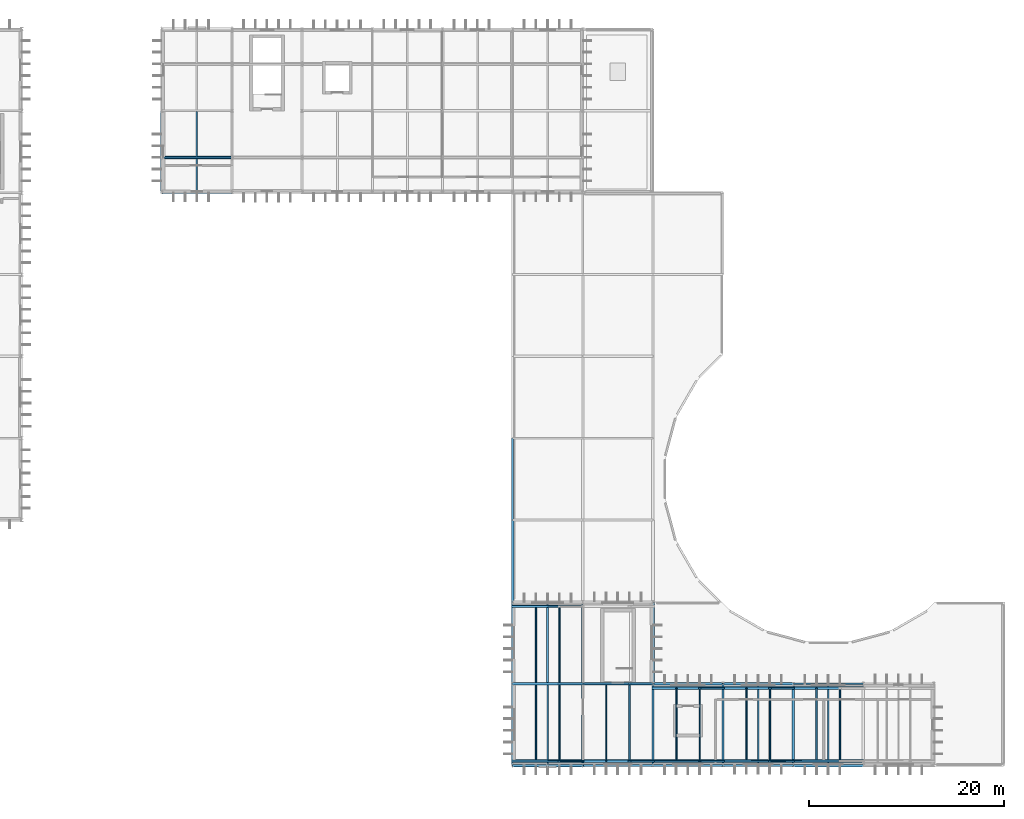
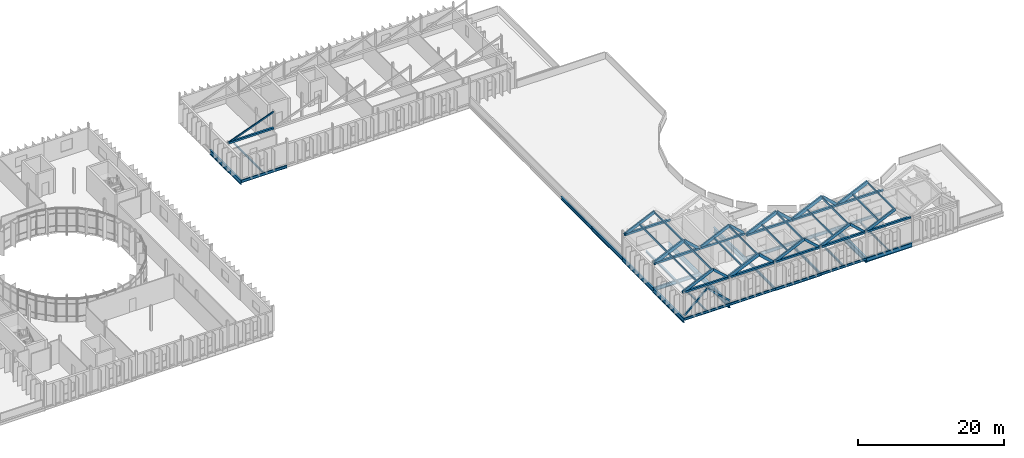
# One storey, part 18 of 52: 44 members, 26 beams.
"""IFC4 building model written with IfcOpenShell, lengths in metres."""

from ifc_helpers import new_model, si_unit, direction, frame, origin, origin_2d, place, context, subcontext, project, spatial, rectangle, hollow_rectangle, i_section, extrude, material, material_profile, profile_set, type_object, element, save


model = new_model("IFC4")

# Units and contexts
model_context = context("Model", 3, precision=1e-05, world=origin(), true_north=direction((0.0, 1.0)))
body_context = subcontext(model_context, "Body", "Model", "MODEL_VIEW")
ifc_project = project(units=[si_unit("LENGTHUNIT", "METRE"), si_unit("AREAUNIT", "SQUARE_METRE"), si_unit("VOLUMEUNIT", "CUBIC_METRE"), si_unit("PLANEANGLEUNIT", "RADIAN"), si_unit("MASSUNIT", "GRAM", prefix="KILO")], contexts=[model_context])

# Site, building, storey
site_placement = place(None, origin())
site = spatial("IfcSite", under=ifc_project, at=site_placement, CompositionType="ELEMENT")
building_placement = place(site_placement, origin())
building = spatial("IfcBuilding", under=site, at=building_placement, Name="Qelthora Terrace Specialist Clinic", CompositionType="ELEMENT")
storey_placement = place(building_placement, frame((0.0, 0.0, 17.39990234375)))
storey = spatial("IfcBuildingStorey", under=building, at=storey_placement, Name="L04", CompositionType="ELEMENT", Elevation=17.39990234375)

# Beams
ifc_material_1 = material(Name="Steel S355", Category="steel")
ifc_material_profile_1 = material_profile(ifc_material_1, i_section(OverallWidth=0.178955078125, OverallDepth=0.409912109375, WebThickness=0.0087890625, FlangeThickness=0.014404296875, FilletRadius=0.011962890625, at=origin_2d()), Name="W410X67")
ifc_profile_set_1 = profile_set([ifc_material_profile_1], Name="Steel S355")
beam_type_1 = type_object("IfcBeamType", Name="BM-W410X67", PredefinedType="BEAM", material=ifc_profile_set_1)
for number, where, z_axis, x_axis, name in (
    (1, (100.800048828125, 33.60009765625, -0.454833984375), (1.0, 0.0, 0.0), (0.0, 1.0, 0.0), "Girder BMX-L04-1132"),
    (2, (115.199951171875, 33.60009765625, -0.454833984375), (1.0, 0.0, 0.0), (0.0, 1.0, 0.0), "Girder BMX-L04-1134"),
):
    element("IfcBeam", number, at=place(storey_placement, frame(where, z_axis=z_axis, x_axis=x_axis)), inside=storey, type_object=beam_type_1, Name=name, PredefinedType="BEAM", context=body_context, shape_type="SweptSolid", body=[
        extrude(i_section(OverallWidth=0.178955078125, OverallDepth=0.409912109375, WebThickness=0.0087890625, FlangeThickness=0.014404296875, FilletRadius=0.011962890625, at=origin_2d()), origin(), (0.0, 0.0, 1.0), 7.199951171875),
    ])
beam_1_placement = place(storey_placement, frame((108.0, 33.60009765625, -0.454833984375), z_axis=(0.0, 1.0, 0.0), x_axis=(-1.0, 0.0, 0.0)))
element("IfcBeam", 3, at=beam_1_placement, inside=storey, type_object=beam_type_1, Name="Girder BMY-L04-1270", PredefinedType="BEAM", context=body_context, shape_type="SweptSolid", body=[
    extrude(i_section(OverallWidth=0.178955078125, OverallDepth=0.409912109375, WebThickness=0.0087890625, FlangeThickness=0.014404296875, FilletRadius=0.011962890625, at=origin_2d()), origin(), (0.0, 0.0, 1.0), 8.39990234375),
])
ifc_material_profile_2 = material_profile(ifc_material_1, i_section(OverallWidth=0.179931640625, OverallDepth=0.4130859375, WebThickness=0.009765625, FlangeThickness=0.01611328125, FilletRadius=0.011962890625, at=origin_2d()), Name="W410X75")
ifc_profile_set_2 = profile_set([ifc_material_profile_2], Name="Steel S355")
beam_type_2 = type_object("IfcBeamType", Name="BM-W410X75", PredefinedType="BEAM", material=ifc_profile_set_2)
beam_2_placement = place(storey_placement, frame((93.60009765625, 33.60009765625, -0.456298828125), z_axis=(1.0, 0.0, 0.0), x_axis=(0.0, 1.0, 0.0)))
element("IfcBeam", 4, at=beam_2_placement, inside=storey, type_object=beam_type_2, Name="Girder BMX-L04-1131", PredefinedType="BEAM", context=body_context, shape_type="SweptSolid", body=[
    extrude(i_section(OverallWidth=0.179931640625, OverallDepth=0.4130859375, WebThickness=0.009765625, FlangeThickness=0.01611328125, FilletRadius=0.011962890625, at=origin_2d()), origin(), (0.0, 0.0, 1.0), 7.199951171875),
])
beam_3_placement = place(storey_placement, frame((115.199951171875, 33.60009765625, -0.456298828125), z_axis=(0.0, 1.0, 0.0), x_axis=(-1.0, 0.0, 0.0)))
element("IfcBeam", 5, at=beam_3_placement, inside=storey, type_object=beam_type_2, Name="Girder BMY-L04-1279", PredefinedType="BEAM", context=body_context, shape_type="SweptSolid", body=[
    extrude(i_section(OverallWidth=0.179931640625, OverallDepth=0.4130859375, WebThickness=0.009765625, FlangeThickness=0.01611328125, FilletRadius=0.011962890625, at=origin_2d()), origin(), (0.0, 0.0, 1.0), 8.39990234375),
])
ifc_material_profile_3 = material_profile(ifc_material_1, i_section(OverallWidth=0.19091796875, OverallDepth=0.4599609375, WebThickness=0.010009765625, FlangeThickness=0.01611328125, FilletRadius=0.012939453125, at=origin_2d()), Name="W460X82")
ifc_profile_set_3 = profile_set([ifc_material_profile_3], Name="Steel S355")
beam_type_3 = type_object("IfcBeamType", Name="BM-W460X82", PredefinedType="BEAM", material=ifc_profile_set_3)
for number, where, z_axis, x_axis, name in (
    (6, (108.0, 33.60009765625, -0.47998046875), (1.0, 0.0, 0.0), (0.0, 1.0, 0.0), "Girder BMX-L04-1133"),
    (7, (57.60009765625, 92.39990234375, -0.47998046875), (1.0, 0.0, 0.0), (0.0, 1.0, 0.0), "Girder BMX-L04-1175"),
):
    element("IfcBeam", number, at=place(storey_placement, frame(where, z_axis=z_axis, x_axis=x_axis)), inside=storey, type_object=beam_type_3, Name=name, PredefinedType="BEAM", context=body_context, shape_type="SweptSolid", body=[
        extrude(i_section(OverallWidth=0.19091796875, OverallDepth=0.4599609375, WebThickness=0.010009765625, FlangeThickness=0.01611328125, FilletRadius=0.012939453125, at=origin_2d()), origin(), (0.0, 0.0, 1.0), 7.199951171875),
    ])
ifc_material_profile_4 = material_profile(ifc_material_1, i_section(OverallWidth=0.193115234375, OverallDepth=0.466064453125, WebThickness=0.011474609375, FlangeThickness=0.01904296875, FilletRadius=0.012939453125, at=origin_2d()), Name="W460X97")
ifc_profile_set_4 = profile_set([ifc_material_profile_4], Name="Steel S355")
beam_type_4 = type_object("IfcBeamType", Name="BM-W460X97", PredefinedType="BEAM", material=ifc_profile_set_4)
beam_4_placement = place(storey_placement, frame((122.39990234375, 42.0, -0.48291015625), z_axis=(1.0, 0.0, 0.0), x_axis=(0.0, 1.0, 0.0)))
element("IfcBeam", 8, at=beam_4_placement, inside=storey, type_object=beam_type_4, Name="Girder BMX-L04-1141", PredefinedType="BEAM", context=body_context, shape_type="SweptSolid", body=[
    extrude(i_section(OverallWidth=0.193115234375, OverallDepth=0.466064453125, WebThickness=0.011474609375, FlangeThickness=0.01904296875, FilletRadius=0.012939453125, at=origin_2d()), origin(), (0.0, 0.0, 1.0), 7.2001953125),
])
ifc_material_profile_5 = material_profile(ifc_material_1, i_section(OverallWidth=0.2099609375, OverallDepth=0.537109375, WebThickness=0.010986328125, FlangeThickness=0.017333984375, FilletRadius=0.013916015625, at=origin_2d()), Name="W530X101")
ifc_profile_set_5 = profile_set([ifc_material_profile_5], Name="Steel S355")
beam_type_5 = type_object("IfcBeamType", Name="BM-W530X101", PredefinedType="BEAM", material=ifc_profile_set_5)
beam_5_placement = place(storey_placement, frame((115.199951171875, 42.0, -0.518310546875), z_axis=(1.0, 0.0, 0.0), x_axis=(0.0, 1.0, 0.0)))
element("IfcBeam", 9, at=beam_5_placement, inside=storey, type_object=beam_type_5, Name="Girder BMX-L04-1140", PredefinedType="BEAM", context=body_context, shape_type="SweptSolid", body=[
    extrude(i_section(OverallWidth=0.2099609375, OverallDepth=0.537109375, WebThickness=0.010986328125, FlangeThickness=0.017333984375, FilletRadius=0.013916015625, at=origin_2d()), origin(), (0.0, 0.0, 1.0), 7.199951171875),
])
ifc_material_profile_6 = material_profile(ifc_material_1, i_section(OverallWidth=0.2119140625, OverallDepth=0.5439453125, WebThickness=0.01318359375, FlangeThickness=0.021240234375, FilletRadius=0.013916015625, at=origin_2d()), Name="W530X123")
ifc_profile_set_6 = profile_set([ifc_material_profile_6], Name="Steel S355")
beam_type_6 = type_object("IfcBeamType", Name="BM-W530X123", PredefinedType="BEAM", material=ifc_profile_set_6)
beam_6_placement = place(storey_placement, frame((108.0, 42.0, -0.52197265625), z_axis=(1.0, 0.0, 0.0), x_axis=(0.0, 1.0, 0.0)))
element("IfcBeam", 10, at=beam_6_placement, inside=storey, type_object=beam_type_6, Name="Girder BMX-L04-1139", PredefinedType="BEAM", context=body_context, shape_type="SweptSolid", body=[
    extrude(i_section(OverallWidth=0.2119140625, OverallDepth=0.5439453125, WebThickness=0.01318359375, FlangeThickness=0.021240234375, FilletRadius=0.013916015625, at=origin_2d()), origin(), (0.0, 0.0, 1.0), 7.199951171875),
])
beam_7_placement = place(storey_placement, frame((93.60009765625, 58.800048828125, -0.52197265625), z_axis=(0.0, 1.0, 0.0), x_axis=(-1.0, 0.0, 0.0)))
element("IfcBeam", 11, at=beam_7_placement, inside=storey, type_object=beam_type_6, Name="Girder BMY-L04-1255", PredefinedType="BEAM", context=body_context, shape_type="SweptSolid", body=[
    extrude(i_section(OverallWidth=0.2119140625, OverallDepth=0.5439453125, WebThickness=0.01318359375, FlangeThickness=0.021240234375, FilletRadius=0.013916015625, at=origin_2d()), origin(), (0.0, 0.0, 1.0), 8.39990234375),
])
ifc_material_profile_7 = material_profile(ifc_material_1, i_section(OverallWidth=0.22900390625, OverallDepth=0.612060546875, WebThickness=0.011962890625, FlangeThickness=0.01953125, FilletRadius=0.01611328125, at=origin_2d()), Name="W610X125")
ifc_profile_set_7 = profile_set([ifc_material_profile_7], Name="Steel S355")
beam_type_7 = type_object("IfcBeamType", Name="BM-W610X125", PredefinedType="BEAM", material=ifc_profile_set_7)
beam_8_placement = place(storey_placement, frame((93.60009765625, 42.0, -0.555908203125), z_axis=(1.0, 0.0, 0.0), x_axis=(0.0, 1.0, 0.0)))
element("IfcBeam", 12, at=beam_8_placement, inside=storey, type_object=beam_type_7, Name="Girder BMX-L04-1138", PredefinedType="BEAM", context=body_context, shape_type="SweptSolid", body=[
    extrude(i_section(OverallWidth=0.22900390625, OverallDepth=0.612060546875, WebThickness=0.011962890625, FlangeThickness=0.01953125, FilletRadius=0.01611328125, at=origin_2d()), origin(), (0.0, 0.0, 1.0), 7.199951171875),
])
ifc_material_profile_8 = material_profile(ifc_material_1, i_section(OverallWidth=0.22998046875, OverallDepth=0.616943359375, WebThickness=0.01318359375, FlangeThickness=0.022216796875, FilletRadius=0.01611328125, at=origin_2d()), Name="W610X140")
ifc_profile_set_8 = profile_set([ifc_material_profile_8], Name="Steel S355")
beam_type_8 = type_object("IfcBeamType", Name="BM-W610X140", PredefinedType="BEAM", material=ifc_profile_set_8)
beam_9_placement = place(storey_placement, frame((93.60009765625, 50.39990234375, -0.558349609375), z_axis=(0.0, 1.0, 0.0), x_axis=(-1.0, 0.0, 0.0)))
element("IfcBeam", 13, at=beam_9_placement, inside=storey, type_object=beam_type_8, Name="Girder BMY-L04-1254", PredefinedType="BEAM", context=body_context, shape_type="SweptSolid", body=[
    extrude(i_section(OverallWidth=0.22998046875, OverallDepth=0.616943359375, WebThickness=0.01318359375, FlangeThickness=0.022216796875, FilletRadius=0.01611328125, at=origin_2d()), origin(), (0.0, 0.0, 1.0), 8.400146484375),
])
ifc_material_profile_9 = material_profile(ifc_material_1, i_section(OverallWidth=0.256103515625, OverallDepth=0.693115234375, WebThickness=0.014404296875, FlangeThickness=0.023681640625, FilletRadius=0.01806640625, at=origin_2d()), Name="W690X170")
ifc_profile_set_9 = profile_set([ifc_material_profile_9], Name="Steel S355")
beam_type_9 = type_object("IfcBeamType", Name="BM-W690X170", PredefinedType="BEAM", material=ifc_profile_set_9)
beam_10_placement = place(storey_placement, frame((122.39990234375, 33.60009765625, -0.596435546875), z_axis=(1.0, 0.0, 0.0), x_axis=(0.0, 1.0, 0.0)))
element("IfcBeam", 14, at=beam_10_placement, inside=storey, type_object=beam_type_9, Name="Girder BMX-L04-1135", PredefinedType="BEAM", context=body_context, shape_type="SweptSolid", body=[
    extrude(i_section(OverallWidth=0.256103515625, OverallDepth=0.693115234375, WebThickness=0.014404296875, FlangeThickness=0.023681640625, FilletRadius=0.01806640625, at=origin_2d()), origin(), (0.0, 0.0, 1.0), 7.2001953125),
])
beam_11_placement = place(storey_placement, frame((93.60009765625, 42.0, -0.596435546875), z_axis=(0.0, 1.0, 0.0), x_axis=(-1.0, 0.0, 0.0)))
element("IfcBeam", 15, at=beam_11_placement, inside=storey, type_object=beam_type_9, Name="Girder BMY-L04-1253", PredefinedType="BEAM", context=body_context, shape_type="SweptSolid", body=[
    extrude(i_section(OverallWidth=0.256103515625, OverallDepth=0.693115234375, WebThickness=0.014404296875, FlangeThickness=0.023681640625, FilletRadius=0.01806640625, at=origin_2d()), origin(), (0.0, 0.0, 1.0), 8.39990234375),
])
ifc_material_profile_10 = material_profile(ifc_material_1, i_section(OverallWidth=0.26806640625, OverallDepth=0.77001953125, WebThickness=0.015625, FlangeThickness=0.025390625, FilletRadius=0.01904296875, at=origin_2d()), Name="W760X196")
ifc_profile_set_10 = profile_set([ifc_material_profile_10], Name="Steel S355")
beam_type_10 = type_object("IfcBeamType", Name="BM-W760X196", PredefinedType="BEAM", material=ifc_profile_set_10)
beam_12_placement = place(storey_placement, frame((57.60009765625, 92.39990234375, -0.635009765625), z_axis=(0.0, 1.0, 0.0), x_axis=(-1.0, 0.0, 0.0)))
element("IfcBeam", 16, at=beam_12_placement, inside=storey, type_object=beam_type_10, Name="Girder BMY-L04-1242", PredefinedType="BEAM", context=body_context, shape_type="SweptSolid", body=[
    extrude(i_section(OverallWidth=0.26806640625, OverallDepth=0.77001953125, WebThickness=0.015625, FlangeThickness=0.025390625, FilletRadius=0.01904296875, at=origin_2d()), origin(), (0.0, 0.0, 1.0), 8.400146484375),
])
for number, where, z_axis, x_axis, name in (
    (17, (93.60009765625, 33.60009765625, -0.635009765625), (0.0, 1.0, 0.0), (-1.0, 0.0, 0.0), "Girder BMY-L04-1252"),
    (18, (100.800048828125, 42.0, -0.635009765625), (0.0, 1.0, 0.0), (-1.0, 0.0, 0.0), "Girder BMY-L04-1262"),
):
    element("IfcBeam", number, at=place(storey_placement, frame(where, z_axis=z_axis, x_axis=x_axis)), inside=storey, type_object=beam_type_10, Name=name, PredefinedType="BEAM", context=body_context, shape_type="SweptSolid", body=[
        extrude(i_section(OverallWidth=0.26806640625, OverallDepth=0.77001953125, WebThickness=0.015625, FlangeThickness=0.025390625, FilletRadius=0.01904296875, at=origin_2d()), origin(), (0.0, 0.0, 1.0), 8.39990234375),
    ])
ifc_material_profile_11 = material_profile(ifc_material_1, i_section(OverallWidth=0.2939453125, OverallDepth=0.85107421875, WebThickness=0.01611328125, FlangeThickness=0.02685546875, FilletRadius=0.02001953125, at=origin_2d()), Name="W840X226")
ifc_profile_set_11 = profile_set([ifc_material_profile_11], Name="Steel S355")
beam_type_11 = type_object("IfcBeamType", Name="BM-W840X226", PredefinedType="BEAM", material=ifc_profile_set_11)
for number, where, z_axis, x_axis, name in (
    (19, (100.800048828125, 33.60009765625, -0.67529296875), (0.0, 1.0, 0.0), (-1.0, 0.0, 0.0), "Girder BMY-L04-1261"),
    (20, (108.0, 42.0, -0.67529296875), (0.0, 1.0, 0.0), (-1.0, 0.0, 0.0), "Girder BMY-L04-1271"),
    (21, (122.39990234375, 33.60009765625, -0.67529296875), (0.0, 1.0, 0.0), (-1.0, 0.0, 0.0), "Girder BMY-L04-1281"),
):
    element("IfcBeam", number, at=place(storey_placement, frame(where, z_axis=z_axis, x_axis=x_axis)), inside=storey, type_object=beam_type_11, Name=name, PredefinedType="BEAM", context=body_context, shape_type="SweptSolid", body=[
        extrude(i_section(OverallWidth=0.2939453125, OverallDepth=0.85107421875, WebThickness=0.01611328125, FlangeThickness=0.02685546875, FilletRadius=0.02001953125, at=origin_2d()), origin(), (0.0, 0.0, 1.0), 8.39990234375),
    ])
ifc_material_profile_12 = material_profile(ifc_material_1, i_section(OverallWidth=0.14599609375, OverallDepth=0.258056640625, WebThickness=0.006103515625, FlangeThickness=0.009033203125, FilletRadius=0.009033203125, at=origin_2d()), Name="W250X33")
ifc_profile_set_12 = profile_set([ifc_material_profile_12], Name="Steel S355")
beam_type_12 = type_object("IfcBeamType", Name="JST-W250X33", PredefinedType="JOIST", material=ifc_profile_set_12)
beam_13_placement = place(storey_placement, frame((97.199951171875, 33.68994140625, -0.37890625), z_axis=(0.0, 1.0, 0.0), x_axis=(-1.0, 0.0, 0.0)))
element("IfcBeam", 22, at=beam_13_placement, inside=storey, type_object=beam_type_12, Name="Composite floor joist JST-L04-0282", PredefinedType="JOIST", context=body_context, shape_type="SweptSolid", body=[
    extrude(i_section(OverallWidth=0.14599609375, OverallDepth=0.258056640625, WebThickness=0.006103515625, FlangeThickness=0.009033203125, FilletRadius=0.009033203125, at=origin_2d()), origin(), (0.0, 0.0, 1.0), 8.195556640625),
])
ifc_material_profile_13 = material_profile(ifc_material_1, i_section(OverallWidth=0.14697265625, OverallDepth=0.261962890625, WebThickness=0.006591796875, FlangeThickness=0.01123046875, FilletRadius=0.009033203125, at=origin_2d()), Name="W250X39")
ifc_profile_set_13 = profile_set([ifc_material_profile_13], Name="Steel S355")
beam_type_13 = type_object("IfcBeamType", Name="JST-W250X39", PredefinedType="JOIST", material=ifc_profile_set_13)
beam_14_placement = place(storey_placement, frame((61.199951171875, 92.49560546875, -0.380859375), z_axis=(0.0, 1.0, 0.0), x_axis=(-1.0, 0.0, 0.0)))
element("IfcBeam", 23, at=beam_14_placement, inside=storey, type_object=beam_type_13, Name="Composite floor joist JST-L04-0275", PredefinedType="JOIST", context=body_context, shape_type="SweptSolid", body=[
    extrude(i_section(OverallWidth=0.14697265625, OverallDepth=0.261962890625, WebThickness=0.006591796875, FlangeThickness=0.01123046875, FilletRadius=0.009033203125, at=origin_2d()), origin(), (0.0, 0.0, 1.0), 8.208984375),
])
beam_15_placement = place(storey_placement, frame((126.0, 33.72802734375, -0.380859375), z_axis=(0.0, 1.0, 0.0), x_axis=(-1.0, 0.0, 0.0)))
element("IfcBeam", 24, at=beam_15_placement, inside=storey, type_object=beam_type_13, Name="Composite floor joist JST-L04-0287", PredefinedType="JOIST", context=body_context, shape_type="SweptSolid", body=[
    extrude(i_section(OverallWidth=0.14697265625, OverallDepth=0.261962890625, WebThickness=0.006591796875, FlangeThickness=0.01123046875, FilletRadius=0.009033203125, at=origin_2d()), origin(), (0.0, 0.0, 1.0), 8.175537109375),
])
ifc_material_profile_14 = material_profile(ifc_material_1, i_section(OverallWidth=0.166015625, OverallDepth=0.31298828125, WebThickness=0.006591796875, FlangeThickness=0.01123046875, FilletRadius=0.010009765625, at=origin_2d()), Name="W310X45")
ifc_profile_set_14 = profile_set([ifc_material_profile_14], Name="Steel S355")
beam_type_14 = type_object("IfcBeamType", Name="JST-W310X45", PredefinedType="JOIST", material=ifc_profile_set_14)
beam_16_placement = place(storey_placement, frame((118.800048828125, 33.689453125, -0.406494140625), z_axis=(0.0, 1.0, 0.0), x_axis=(-1.0, 0.0, 0.0)))
element("IfcBeam", 25, at=beam_16_placement, inside=storey, type_object=beam_type_14, Name="Composite floor joist JST-L04-0286", PredefinedType="JOIST", context=body_context, shape_type="SweptSolid", body=[
    extrude(i_section(OverallWidth=0.166015625, OverallDepth=0.31298828125, WebThickness=0.006591796875, FlangeThickness=0.01123046875, FilletRadius=0.010009765625, at=origin_2d()), origin(), (0.0, 0.0, 1.0), 8.20556640625),
])
ifc_material_profile_15 = material_profile(ifc_material_1, i_section(OverallWidth=0.202880859375, OverallDepth=0.346923828125, WebThickness=0.0078125, FlangeThickness=0.013427734375, FilletRadius=0.010986328125, at=origin_2d()), Name="W360X64")
ifc_profile_set_15 = profile_set([ifc_material_profile_15], Name="Steel S355")
beam_type_15 = type_object("IfcBeamType", Name="JST-W360X64", PredefinedType="JOIST", material=ifc_profile_set_15)
beam_17_placement = place(storey_placement, frame((97.199951171875, 42.114501953125, -0.42333984375), z_axis=(0.0, 1.0, 0.0), x_axis=(-1.0, 0.0, 0.0)))
element("IfcBeam", 26, at=beam_17_placement, inside=storey, type_object=beam_type_15, Name="Composite floor joist JST-L04-0283", PredefinedType="JOIST", context=body_context, shape_type="SweptSolid", body=[
    extrude(i_section(OverallWidth=0.202880859375, OverallDepth=0.346923828125, WebThickness=0.0078125, FlangeThickness=0.013427734375, FilletRadius=0.010986328125, at=origin_2d()), origin(), (0.0, 0.0, 1.0), 8.195556640625),
])

# Members
ifc_material_profile_16 = material_profile(ifc_material_1, hollow_rectangle(XDim=0.25, YDim=0.25, WallThickness=0.011962890625, at=origin_2d()), Name="HSS250X250X12")
ifc_profile_set_16 = profile_set([ifc_material_profile_16], Name="Steel S355")
member_type_1 = type_object("IfcMemberType", Name="MEM-BRACE-HSS250H", PredefinedType="BRACE", material=ifc_profile_set_16)
member_1_placement = place(storey_placement, frame((93.60009765625, 33.60009765625, 0.18017578125), z_axis=(0.740203511447, 0.0, 0.672382898089), x_axis=(0.0, 1.0, 0.0)))
element("IfcMember", 27, at=member_1_placement, inside=storey, type_object=member_type_1, Name="Concentric seismic chevron brace B8-L04A", PredefinedType="BRACE", context=body_context, shape_type="SweptSolid", body=[
    extrude(hollow_rectangle(XDim=0.25, YDim=0.25, WallThickness=0.011962890625, at=origin_2d()), origin(), (0.0, 0.0, 1.0), 4.86328125),
])
member_2_placement = place(storey_placement, frame((100.800048828125, 33.60009765625, 0.18017578125), z_axis=(-0.740226205678, 0.0, 0.672357913933), x_axis=(0.0, -1.0, 0.0)))
element("IfcMember", 28, at=member_2_placement, inside=storey, type_object=member_type_1, Name="Concentric seismic chevron brace B8-L04B", PredefinedType="BRACE", context=body_context, shape_type="SweptSolid", body=[
    extrude(hollow_rectangle(XDim=0.25, YDim=0.25, WallThickness=0.011962890625, at=origin_2d()), origin(), (0.0, 0.0, 1.0), 4.863525390625),
])
ifc_material_profile_17 = material_profile(ifc_material_1, hollow_rectangle(XDim=0.300048828125, YDim=0.300048828125, WallThickness=0.011962890625, at=origin_2d()), Name="HSS300X300X12")
ifc_profile_set_17 = profile_set([ifc_material_profile_17], Name="Steel S355")
member_type_2 = type_object("IfcMemberType", Name="MEM-CHORD-HSS300", PredefinedType="CHORD", material=ifc_profile_set_17)
for number, where, z_axis, x_axis, name in (
    (29, (93.60009765625, 34.050048828125, 3.75), (1.0, 0.0, 0.0), (0.0, 1.0, 0.0), "Gable steel bottom tie chord V4G-001"),
    (30, (93.60009765625, 42.0, 3.75), (1.0, 0.0, 0.0), (0.0, 1.0, 0.0), "Gable steel bottom tie chord V4G-002"),
    (31, (93.60009765625, 49.949951171875, 3.75), (1.0, 0.0, 0.0), (0.0, 1.0, 0.0), "Gable steel bottom tie chord V4G-003"),
    (32, (100.800048828125, 34.050048828125, 3.75), (1.0, 0.0, 0.0), (0.0, 1.0, 0.0), "Gable steel bottom tie chord V4G-004"),
    (33, (100.800048828125, 42.0, 3.75), (1.0, 0.0, 0.0), (0.0, 1.0, 0.0), "Gable steel bottom tie chord V4G-005"),
    (34, (108.0, 34.050048828125, 3.75), (1.0, 0.0, 0.0), (0.0, 1.0, 0.0), "Gable steel bottom tie chord V4G-007"),
    (35, (108.0, 41.550048828125, 3.75), (1.0, 0.0, 0.0), (0.0, 1.0, 0.0), "Gable steel bottom tie chord V4G-008"),
    (36, (115.199951171875, 34.050048828125, 3.75), (1.0, 0.0, 0.0), (0.0, 1.0, 0.0), "Gable steel bottom tie chord V4G-009"),
    (37, (115.199951171875, 41.550048828125, 3.75), (1.0, 0.0, 0.0), (0.0, 1.0, 0.0), "Gable steel bottom tie chord V4G-010"),
):
    element("IfcMember", number, at=place(storey_placement, frame(where, z_axis=z_axis, x_axis=x_axis)), inside=storey, type_object=member_type_2, Name=name, PredefinedType="CHORD", context=body_context, shape_type="SweptSolid", body=[
        extrude(hollow_rectangle(XDim=0.300048828125, YDim=0.300048828125, WallThickness=0.011962890625, at=origin_2d()), origin(), (0.0, 0.0, 1.0), 7.199951171875),
    ])
for number, where, z_axis, x_axis, name in (
    (38, (122.39990234375, 34.050048828125, 3.75), (1.0, 0.0, 0.0), (0.0, 1.0, 0.0), "Gable steel bottom tie chord V4G-011"),
    (39, (122.39990234375, 41.550048828125, 3.75), (1.0, 0.0, 0.0), (0.0, 1.0, 0.0), "Gable steel bottom tie chord V4G-012"),
):
    element("IfcMember", number, at=place(storey_placement, frame(where, z_axis=z_axis, x_axis=x_axis)), inside=storey, type_object=member_type_2, Name=name, PredefinedType="CHORD", context=body_context, shape_type="SweptSolid", body=[
        extrude(hollow_rectangle(XDim=0.300048828125, YDim=0.300048828125, WallThickness=0.011962890625, at=origin_2d()), origin(), (0.0, 0.0, 1.0), 7.2001953125),
    ])
member_3_placement = place(storey_placement, frame((57.60009765625, 96.0, 3.75), z_axis=(1.0, 0.0, 0.0), x_axis=(0.0, 1.0, 0.0)))
element("IfcMember", 40, at=member_3_placement, inside=storey, type_object=member_type_2, Name="Sawtooth bottom tie chord 1A", PredefinedType="CHORD", context=body_context, shape_type="SweptSolid", body=[
    extrude(hollow_rectangle(XDim=0.300048828125, YDim=0.300048828125, WallThickness=0.011962890625, at=origin_2d()), origin(), (0.0, 0.0, 1.0), 7.199951171875),
])
ifc_material_2 = material(Name="Glulam timber GL28h", Category="wood")
ifc_material_profile_18 = material_profile(ifc_material_2, rectangle(XDim=0.139892578125, YDim=0.280029296875, at=origin_2d()), Name="GL140X280")
ifc_profile_set_18 = profile_set([ifc_material_profile_18], Name="Glulam timber GL28h")
member_type_3 = type_object("IfcMemberType", Name="MEM-PURLIN-GL280", PredefinedType="PURLIN", material=ifc_profile_set_18)
for number, where, z_axis, x_axis, name in (
    (41, (98.39990234375, 34.050048828125, 5.72998046875), (0.0, 1.0, 0.0), (-1.0, 0.0, 0.0), "Glulam roof purlin GPRL-031"),
    (42, (96.0, 34.050048828125, 4.630126953125), (0.0, 1.0, 0.0), (-1.0, 0.0, 0.0), "Glulam roof purlin GPRL-032"),
):
    element("IfcMember", number, at=place(storey_placement, frame(where, z_axis=z_axis, x_axis=x_axis)), inside=storey, type_object=member_type_3, Name=name, PredefinedType="PURLIN", context=body_context, shape_type="SweptSolid", body=[
        extrude(rectangle(XDim=0.139892578125, YDim=0.280029296875, at=origin_2d()), origin(), (0.0, 0.0, 1.0), 15.89990234375),
    ])
for number, where, z_axis, x_axis, name in (
    (43, (105.60009765625, 34.050048828125, 5.72998046875), (0.0, 1.0, 0.0), (-1.0, 0.0, 0.0), "Glulam roof purlin GPRL-033"),
    (44, (103.199951171875, 34.050048828125, 4.630126953125), (0.0, 1.0, 0.0), (-1.0, 0.0, 0.0), "Glulam roof purlin GPRL-034"),
):
    element("IfcMember", number, at=place(storey_placement, frame(where, z_axis=z_axis, x_axis=x_axis)), inside=storey, type_object=member_type_3, Name=name, PredefinedType="PURLIN", context=body_context, shape_type="SweptSolid", body=[
        extrude(rectangle(XDim=0.139892578125, YDim=0.280029296875, at=origin_2d()), origin(), (0.0, 0.0, 1.0), 7.949951171875),
    ])
for number, where, z_axis, x_axis, name in (
    (45, (112.800048828125, 34.050048828125, 5.72998046875), (0.0, 1.0, 0.0), (-1.0, 0.0, 0.0), "Glulam roof purlin GPRL-035"),
    (46, (110.39990234375, 34.050048828125, 4.630126953125), (0.0, 1.0, 0.0), (-1.0, 0.0, 0.0), "Glulam roof purlin GPRL-036"),
    (47, (120.0, 34.050048828125, 5.72998046875), (0.0, 1.0, 0.0), (-1.0, 0.0, 0.0), "Glulam roof purlin GPRL-037"),
    (48, (117.60009765625, 34.050048828125, 4.630126953125), (0.0, 1.0, 0.0), (-1.0, 0.0, 0.0), "Glulam roof purlin GPRL-038"),
    (49, (127.199951171875, 34.050048828125, 5.72998046875), (0.0, 1.0, 0.0), (-1.0, 0.0, 0.0), "Glulam roof purlin GPRL-039"),
    (50, (124.800048828125, 34.050048828125, 4.630126953125), (0.0, 1.0, 0.0), (-1.0, 0.0, 0.0), "Glulam roof purlin GPRL-040"),
):
    element("IfcMember", number, at=place(storey_placement, frame(where, z_axis=z_axis, x_axis=x_axis)), inside=storey, type_object=member_type_3, Name=name, PredefinedType="PURLIN", context=body_context, shape_type="SweptSolid", body=[
        extrude(rectangle(XDim=0.139892578125, YDim=0.280029296875, at=origin_2d()), origin(), (0.0, 0.0, 1.0), 7.5),
    ])
ifc_material_profile_19 = material_profile(ifc_material_2, rectangle(XDim=0.159912109375, YDim=0.360107421875, at=origin_2d()), Name="GL160X360")
ifc_profile_set_19 = profile_set([ifc_material_profile_19], Name="Glulam timber GL28h")
member_type_4 = type_object("IfcMemberType", Name="MEM-RAFTER-GL360", PredefinedType="RAFTER", material=ifc_profile_set_19)
member_4_placement = place(storey_placement, frame((98.39990234375, 34.050048828125, 5.9501953125), z_axis=(0.73714480279, 0.0, -0.675734814642), x_axis=(0.0, 1.0, 0.0)))
element("IfcMember", 51, at=member_4_placement, inside=storey, type_object=member_type_4, Name="Glulam gable rafter V4G-001E", PredefinedType="RAFTER", context=body_context, shape_type="SweptSolid", body=[
    extrude(rectangle(XDim=0.159912109375, YDim=0.360107421875, at=origin_2d()), origin(), (0.0, 0.0, 1.0), 3.256103515625),
])
for number, where, z_axis, x_axis, name in (
    (52, (105.60009765625, 42.0, 5.9501953125), (0.737110562006, 0.0, -0.675772165289), (0.0, 1.0, 0.0), "Glulam gable rafter V4G-005E"),
    (53, (112.800048828125, 34.050048828125, 5.9501953125), (0.737110562006, 0.0, -0.675772165289), (0.0, 1.0, 0.0), "Glulam gable rafter V4G-007E"),
    (54, (120.0, 34.050048828125, 5.9501953125), (0.737110562006, 0.0, -0.675772165289), (0.0, 1.0, 0.0), "Glulam gable rafter V4G-009E"),
):
    element("IfcMember", number, at=place(storey_placement, frame(where, z_axis=z_axis, x_axis=x_axis)), inside=storey, type_object=member_type_4, Name=name, PredefinedType="RAFTER", context=body_context, shape_type="SweptSolid", body=[
        extrude(rectangle(XDim=0.159912109375, YDim=0.360107421875, at=origin_2d()), origin(), (0.0, 0.0, 1.0), 3.255859375),
    ])
ifc_material_profile_20 = material_profile(ifc_material_2, rectangle(XDim=0.179931640625, YDim=0.419921875, at=origin_2d()), Name="GL180X420")
ifc_profile_set_20 = profile_set([ifc_material_profile_20], Name="Glulam timber GL28h")
member_type_5 = type_object("IfcMemberType", Name="MEM-RAFTER-GL420", PredefinedType="RAFTER", material=ifc_profile_set_20)
member_5_placement = place(storey_placement, frame((98.39990234375, 42.0, 5.9501953125), z_axis=(0.73714480279, 0.0, -0.675734814642), x_axis=(0.0, 1.0, 0.0)))
element("IfcMember", 55, at=member_5_placement, inside=storey, type_object=member_type_5, Name="Glulam gable rafter V4G-002E", PredefinedType="RAFTER", context=body_context, shape_type="SweptSolid", body=[
    extrude(rectangle(XDim=0.179931640625, YDim=0.419921875, at=origin_2d()), origin(), (0.0, 0.0, 1.0), 3.256103515625),
])
for number, where, z_axis, x_axis, name in (
    (56, (105.60009765625, 34.050048828125, 5.9501953125), (0.737110562006, 0.0, -0.675772165289), (0.0, 1.0, 0.0), "Glulam gable rafter V4G-004E"),
    (57, (112.800048828125, 41.550048828125, 5.9501953125), (0.737110562006, 0.0, -0.675772165289), (0.0, 1.0, 0.0), "Glulam gable rafter V4G-008E"),
    (58, (120.0, 41.550048828125, 5.9501953125), (0.737110562006, 0.0, -0.675772165289), (0.0, 1.0, 0.0), "Glulam gable rafter V4G-010E"),
):
    element("IfcMember", number, at=place(storey_placement, frame(where, z_axis=z_axis, x_axis=x_axis)), inside=storey, type_object=member_type_5, Name=name, PredefinedType="RAFTER", context=body_context, shape_type="SweptSolid", body=[
        extrude(rectangle(XDim=0.179931640625, YDim=0.419921875, at=origin_2d()), origin(), (0.0, 0.0, 1.0), 3.255859375),
    ])
ifc_material_profile_21 = material_profile(ifc_material_2, rectangle(XDim=0.199951171875, YDim=0.47998046875, at=origin_2d()), Name="GL200X480")
ifc_profile_set_21 = profile_set([ifc_material_profile_21], Name="Glulam timber GL28h")
member_type_6 = type_object("IfcMemberType", Name="MEM-RAFTER-GL480", PredefinedType="RAFTER", material=ifc_profile_set_21)
for number, where, z_axis, x_axis, name in (
    (59, (93.60009765625, 34.050048828125, 3.75), (0.909044389395, 0.0, 0.416699289788), (0.0, 1.0, 0.0), "Glulam gable rafter V4G-001W"),
    (60, (93.60009765625, 49.949951171875, 3.75), (0.909044389395, 0.0, 0.416699289788), (0.0, 1.0, 0.0), "Glulam gable rafter V4G-003W"),
):
    element("IfcMember", number, at=place(storey_placement, frame(where, z_axis=z_axis, x_axis=x_axis)), inside=storey, type_object=member_type_6, Name=name, PredefinedType="RAFTER", context=body_context, shape_type="SweptSolid", body=[
        extrude(rectangle(XDim=0.199951171875, YDim=0.47998046875, at=origin_2d()), origin(), (0.0, 0.0, 1.0), 5.280029296875),
    ])
for number, where, z_axis, x_axis, name in (
    (61, (100.800048828125, 42.0, 3.75), (0.909052417623, 0.0, 0.416681775475), (0.0, 1.0, 0.0), "Glulam gable rafter V4G-005W"),
    (62, (108.0, 34.050048828125, 3.75), (0.909052417623, 0.0, 0.416681775475), (0.0, 1.0, 0.0), "Glulam gable rafter V4G-007W"),
    (63, (115.199951171875, 34.050048828125, 3.75), (0.909052417623, 0.0, 0.416681775475), (0.0, 1.0, 0.0), "Glulam gable rafter V4G-009W"),
    (64, (122.39990234375, 34.050048828125, 3.75), (0.909052417623, 0.0, 0.416681775475), (0.0, 1.0, 0.0), "Glulam gable rafter V4G-011W"),
):
    element("IfcMember", number, at=place(storey_placement, frame(where, z_axis=z_axis, x_axis=x_axis)), inside=storey, type_object=member_type_6, Name=name, PredefinedType="RAFTER", context=body_context, shape_type="SweptSolid", body=[
        extrude(rectangle(XDim=0.199951171875, YDim=0.47998046875, at=origin_2d()), origin(), (0.0, 0.0, 1.0), 5.2802734375),
    ])
ifc_material_profile_22 = material_profile(ifc_material_2, rectangle(XDim=0.239990234375, YDim=0.56005859375, at=origin_2d()), Name="GL240X560")
ifc_profile_set_22 = profile_set([ifc_material_profile_22], Name="Glulam timber GL28h")
member_type_7 = type_object("IfcMemberType", Name="MEM-RAFTER-GL560", PredefinedType="RAFTER", material=ifc_profile_set_22)
member_6_placement = place(storey_placement, frame((93.60009765625, 42.0, 3.75), z_axis=(0.909044389395, 0.0, 0.416699289788), x_axis=(0.0, 1.0, 0.0)))
element("IfcMember", 65, at=member_6_placement, inside=storey, type_object=member_type_7, Name="Glulam gable rafter V4G-002W", PredefinedType="RAFTER", context=body_context, shape_type="SweptSolid", body=[
    extrude(rectangle(XDim=0.239990234375, YDim=0.56005859375, at=origin_2d()), origin(), (0.0, 0.0, 1.0), 5.280029296875),
])
for number, where, z_axis, x_axis, name in (
    (66, (100.800048828125, 34.050048828125, 3.75), (0.909052417623, 0.0, 0.416681775475), (0.0, 1.0, 0.0), "Glulam gable rafter V4G-004W"),
    (67, (108.0, 41.550048828125, 3.75), (0.909052417623, 0.0, 0.416681775475), (0.0, 1.0, 0.0), "Glulam gable rafter V4G-008W"),
    (68, (115.199951171875, 41.550048828125, 3.75), (0.909052417623, 0.0, 0.416681775475), (0.0, 1.0, 0.0), "Glulam gable rafter V4G-010W"),
    (69, (122.39990234375, 41.550048828125, 3.75), (0.909052417623, 0.0, 0.416681775475), (0.0, 1.0, 0.0), "Glulam gable rafter V4G-012W"),
):
    element("IfcMember", number, at=place(storey_placement, frame(where, z_axis=z_axis, x_axis=x_axis)), inside=storey, type_object=member_type_7, Name=name, PredefinedType="RAFTER", context=body_context, shape_type="SweptSolid", body=[
        extrude(rectangle(XDim=0.239990234375, YDim=0.56005859375, at=origin_2d()), origin(), (0.0, 0.0, 1.0), 5.2802734375),
    ])
ifc_material_profile_23 = material_profile(ifc_material_1, hollow_rectangle(XDim=0.14990234375, YDim=0.25, WallThickness=0.010009765625, at=origin_2d()), Name="HSS250X150X10")
ifc_profile_set_23 = profile_set([ifc_material_profile_23], Name="Steel S355")
member_type_8 = type_object("IfcMemberType", Name="MEM-RAFTER-HSS250", PredefinedType="RAFTER", material=ifc_profile_set_23)
member_7_placement = place(storey_placement, frame((57.60009765625, 96.0, 3.75), z_axis=(0.935891555567, 0.0, 0.352288228895), x_axis=(0.0, 1.0, 0.0)))
element("IfcMember", 70, at=member_7_placement, inside=storey, type_object=member_type_8, Name="Sawtooth steel rafter 1A", PredefinedType="RAFTER", context=body_context, shape_type="SweptSolid", body=[
    extrude(hollow_rectangle(XDim=0.14990234375, YDim=0.25, WallThickness=0.010009765625, at=origin_2d()), origin(), (0.0, 0.0, 1.0), 7.693115234375),
])

save(model, "model.ifc")
